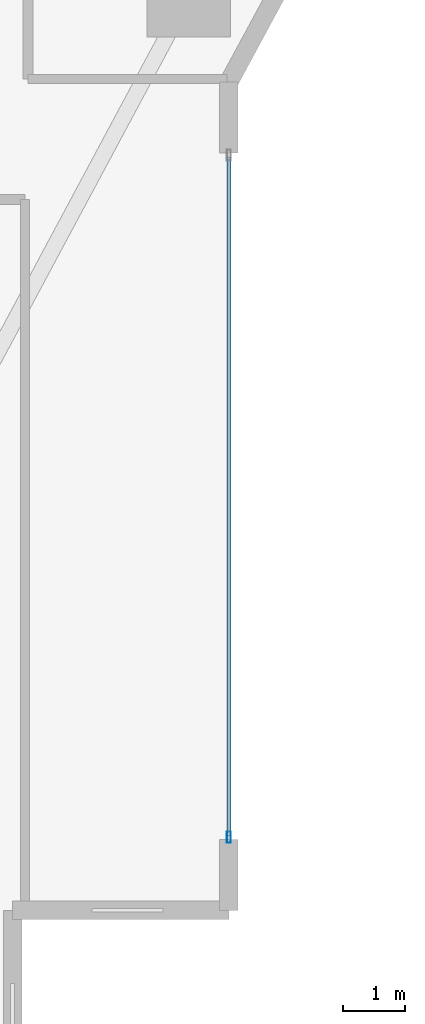
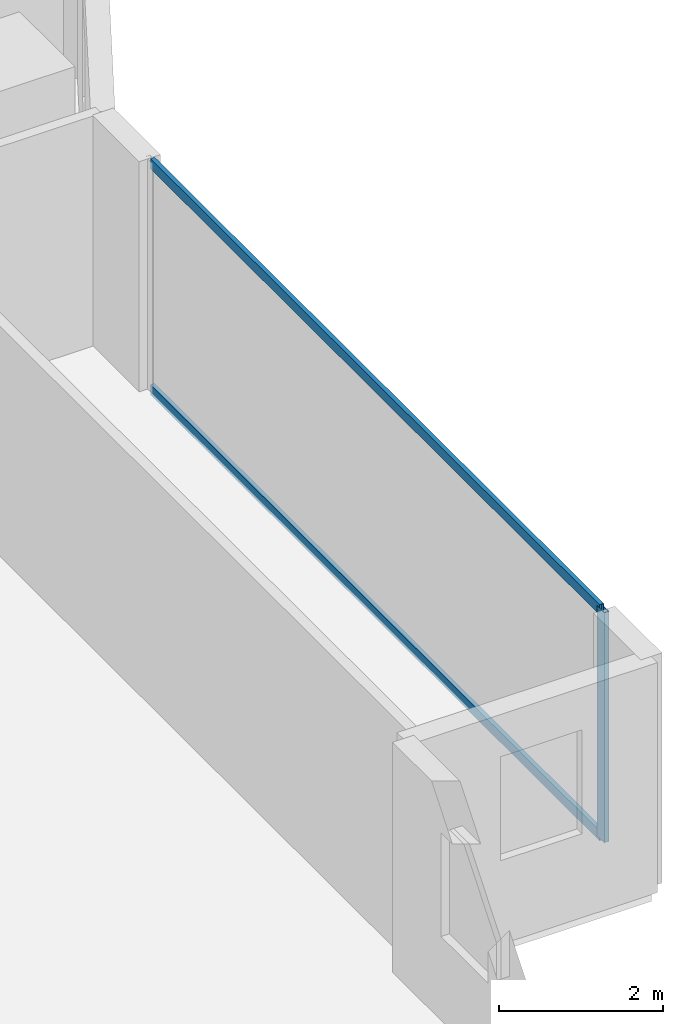
# One storey, part 11 of 28: 3 members, 1 element without a shape of its own.
"""IFC4 building model written with IfcOpenShell, lengths in metres."""

from ifc_helpers import new_model, si_unit, direction, frame, origin, origin_2d, place, context, subcontext, project, spatial, hollow_rectangle, extrude, material, layer, layer_set, material_profile, profile_set, type_object, element, aggregate, save


model = new_model("IFC4")

# Units and contexts
model_context = context("Model", 3, precision=1e-05, world=origin(), true_north=direction((0.0, 1.0)))
body_context = subcontext(model_context, "Body", "Model", "MODEL_VIEW")
ifc_project = project(units=[si_unit("LENGTHUNIT", "METRE"), si_unit("AREAUNIT", "SQUARE_METRE"), si_unit("VOLUMEUNIT", "CUBIC_METRE"), si_unit("PLANEANGLEUNIT", "RADIAN"), si_unit("MASSUNIT", "GRAM", prefix="KILO")], contexts=[model_context])

# Site, building, storey
site_placement = place(None, origin())
site = spatial("IfcSite", under=ifc_project, at=site_placement, CompositionType="ELEMENT")
building_placement = place(site_placement, origin())
building = spatial("IfcBuilding", under=site, at=building_placement, Name="Zuhayl Quay Hotel", CompositionType="ELEMENT")
storey_placement = place(building_placement, frame((0.0, 0.0, 143.10009765625)))
storey = spatial("IfcBuildingStorey", under=building, at=storey_placement, Name="L36", CompositionType="ELEMENT", Elevation=143.10009765625)

# Curtain wall, members
ifc_material_1 = material(Name="Anodised Aluminium 6063-T6", Category="aluminium")
ifc_layer = layer(ifc_material_1, 0.179931640625, Name="Anodised Aluminium 6063-T6", Category="aluminium")
ifc_layer_set = layer_set([ifc_layer], Name="Anodised Aluminium 6063-T6")
curtain_wall_type = type_object("IfcCurtainWallType", Name="CW_SYS_Z2", PredefinedType="USERDEFINED", material=ifc_layer_set)
curtain_wall_placement = place(storey_placement, origin())
curtain_wall = element("IfcCurtainWall", 1, at=curtain_wall_placement, inside=storey, type_object=curtain_wall_type, Name="L36 Curtain Wall ENV_L36_E14_CW1", ObjectType="UNITISED CURTAIN WALL", PredefinedType="USERDEFINED")
ifc_material_2 = material(Name="Black-anodised aluminium 6063-T6", Category="aluminium")
ifc_material_profile_1 = material_profile(ifc_material_2, hollow_rectangle(XDim=0.06494140625, YDim=0.179931640625, WallThickness=0.00341796875, at=origin_2d()), Name="ALU180X65")
ifc_profile_set_1 = profile_set([ifc_material_profile_1], Name="Black-anodised aluminium 6063-T6")
member_type_1 = type_object("IfcMemberType", Name="MB_CW_MUL_180", PredefinedType="MULLION", material=ifc_profile_set_1)
member_1_placement = place(storey_placement, frame((23.89990234375, -10.717529296875, 0.0), z_axis=(0.0, 0.0, 1.0), x_axis=(1.0, 0.0, 0.0)))
member_1 = element("IfcMember", 2, at=member_1_placement, type_object=member_type_1, Name="CW-Z2 mullion 2", PredefinedType="MULLION", context=body_context, shape_type="SweptSolid", body=[
    extrude(hollow_rectangle(XDim=0.06494140625, YDim=0.179931640625, WallThickness=0.00341796875, at=origin_2d()), origin(), (0.0, 0.0, 1.0), 3.429931640625),
])
ifc_material_profile_2 = material_profile(ifc_material_2, hollow_rectangle(XDim=0.06005859375, YDim=0.14990234375, WallThickness=0.00341796875, at=origin_2d()), Name="ALU150X60")
ifc_profile_set_2 = profile_set([ifc_material_profile_2], Name="Black-anodised aluminium 6063-T6")
member_type_2 = type_object("IfcMemberType", Name="MB_CW_TRN_150", PredefinedType="USERDEFINED", material=ifc_profile_set_2)
member_2_placement = place(storey_placement, frame((23.89990234375, 0.284912109375, 0.02978515625), z_axis=(0.0, -1.0, 0.0), x_axis=(1.0, 0.0, 0.0)))
member_2 = element("IfcMember", 3, at=member_2_placement, type_object=member_type_2, Name="CW-Z2 transom 1.1", ObjectType="TRANSOM", PredefinedType="USERDEFINED", context=body_context, shape_type="SweptSolid", body=[
    extrude(hollow_rectangle(XDim=0.06005859375, YDim=0.14990234375, WallThickness=0.00341796875, at=origin_2d()), origin(), (0.0, 0.0, 1.0), 10.969970703125),
])
member_3_placement = place(storey_placement, frame((23.89990234375, 0.284912109375, 3.39990234375), z_axis=(0.0, -1.0, 0.0), x_axis=(1.0, 0.0, 0.0)))
member_3 = element("IfcMember", 4, at=member_3_placement, type_object=member_type_2, Name="CW-Z2 transom 1.2", ObjectType="TRANSOM", PredefinedType="USERDEFINED", context=body_context, shape_type="SweptSolid", body=[
    extrude(hollow_rectangle(XDim=0.06005859375, YDim=0.14990234375, WallThickness=0.00341796875, at=origin_2d()), origin(), (0.0, 0.0, 1.0), 10.969970703125),
])
aggregate(curtain_wall, [member_1, member_2, member_3])

save(model, "model.ifc")
